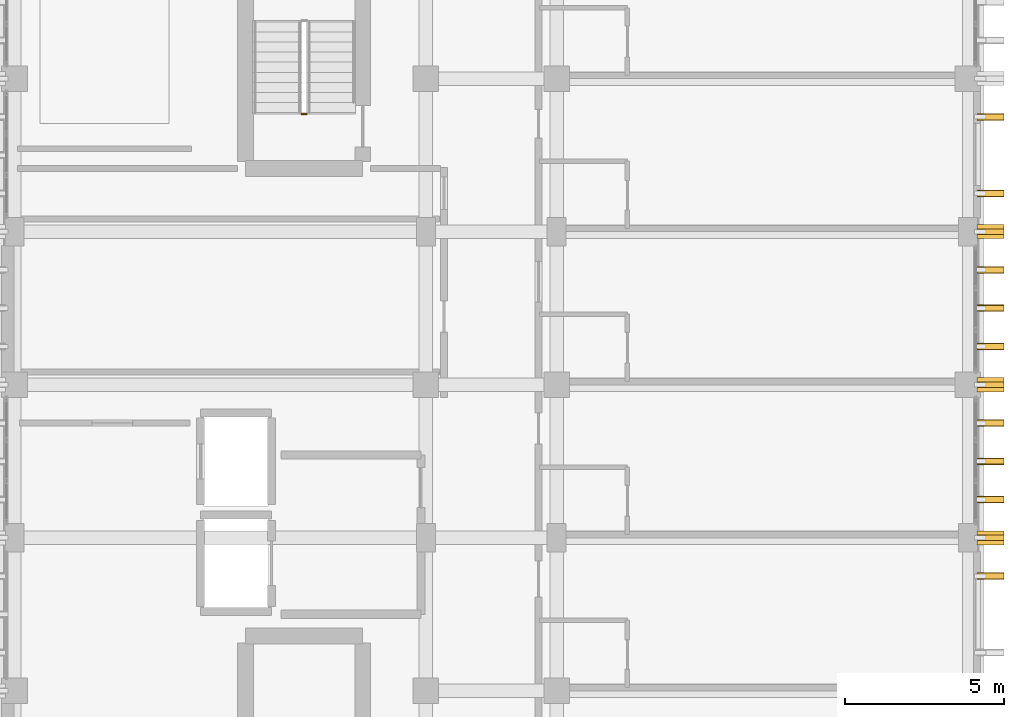
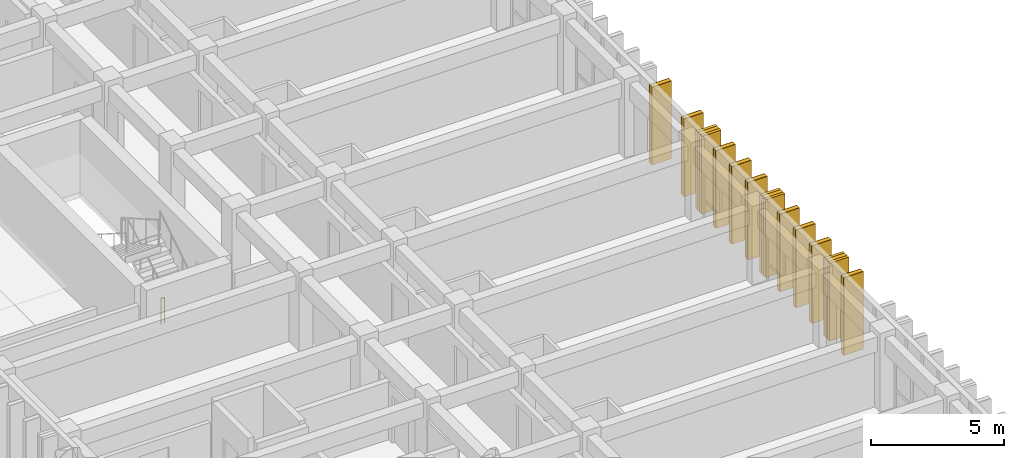
# One storey, part 80 of 82: 12 coverings, 12 shading devices, 1 railing.
"""IFC4 building model written with IfcOpenShell, lengths in metres."""

from ifc_helpers import new_model, si_unit, direction, frame, origin, origin_2d, place, context, subcontext, project, spatial, rectangle, circle, extrude, material, layer, layer_set, type_object, element, save


model = new_model("IFC4")

# Units and contexts
model_context = context("Model", 3, precision=1e-05, world=origin(), true_north=direction((0.0, 1.0)))
body_context = subcontext(model_context, "Body", "Model", "MODEL_VIEW")
ifc_project = project(units=[si_unit("LENGTHUNIT", "METRE"), si_unit("AREAUNIT", "SQUARE_METRE"), si_unit("VOLUMEUNIT", "CUBIC_METRE"), si_unit("PLANEANGLEUNIT", "RADIAN"), si_unit("MASSUNIT", "GRAM", prefix="KILO")], contexts=[model_context])

# Site, building, storey
site_placement = place(None, origin())
site = spatial("IfcSite", under=ifc_project, at=site_placement, CompositionType="ELEMENT")
building_placement = place(site_placement, origin())
building = spatial("IfcBuilding", under=site, at=building_placement, Name="Nakhvara Creek Congress Hotel", CompositionType="ELEMENT")
storey_placement = place(building_placement, frame((0.0, 0.0, 21.0)))
storey = spatial("IfcBuildingStorey", under=building, at=storey_placement, Name="L04", CompositionType="ELEMENT", Elevation=21.0)

# Coverings
ifc_material_1 = material(Name="Honed pale Omani limestone architectural cladding", Category="masonry")
ifc_layer = layer(ifc_material_1, 0.219970703125)
ifc_layer_set = layer_set([ifc_layer], Name="Honed pale Omani limestone architectural cladding")
covering_type = type_object("IfcCoveringType", Name="COV-FIN-850", PredefinedType="CLADDING", material=ifc_layer_set)
covering_1_placement = place(storey_placement, frame((180.054931640625, 90.0, 0.0), z_axis=(0.0, 0.0, 1.0), x_axis=(0.0, 1.0, 0.0)))
element("IfcCovering", 1, at=covering_1_placement, inside=storey, type_object=covering_type, Name="Pale Limestone Fin Cladding CF01-1313", PredefinedType="CLADDING", context=body_context, shape_type="SweptSolid", body=[
    extrude(rectangle(XDim=0.219970703125, YDim=0.85009765625, at=origin_2d()), origin(), (0.0, 0.0, 1.0), 3.56005859375),
])
covering_2_placement = place(storey_placement, frame((180.054931640625, 91.199951171875, 0.0), z_axis=(0.0, 0.0, 1.0), x_axis=(0.0, 1.0, 0.0)))
element("IfcCovering", 2, at=covering_2_placement, inside=storey, type_object=covering_type, Name="Pale Limestone Fin Cladding CF01-1315", PredefinedType="CLADDING", context=body_context, shape_type="SweptSolid", body=[
    extrude(rectangle(XDim=0.43994140625, YDim=0.85009765625, at=origin_2d()), origin(), (0.0, 0.0, 1.0), 3.56005859375),
])
for number, where, z_axis, x_axis, name in (
    (3, (180.054931640625, 92.39990234375, 0.0), (0.0, 0.0, 1.0), (0.0, 1.0, 0.0), "Pale Limestone Fin Cladding CF01-1317"),
    (4, (180.054931640625, 93.60009765625, 0.0), (0.0, 0.0, 1.0), (0.0, 1.0, 0.0), "Pale Limestone Fin Cladding CF01-1319"),
    (5, (180.054931640625, 94.800048828125, 0.0), (0.0, 0.0, 1.0), (0.0, 1.0, 0.0), "Pale Limestone Fin Cladding CF01-1321"),
):
    element("IfcCovering", number, at=place(storey_placement, frame(where, z_axis=z_axis, x_axis=x_axis)), inside=storey, type_object=covering_type, Name=name, PredefinedType="CLADDING", context=body_context, shape_type="SweptSolid", body=[
        extrude(rectangle(XDim=0.219970703125, YDim=0.85009765625, at=origin_2d()), origin(), (0.0, 0.0, 1.0), 3.56005859375),
    ])
covering_3_placement = place(storey_placement, frame((180.054931640625, 96.0, 0.0), z_axis=(0.0, 0.0, 1.0), x_axis=(0.0, 1.0, 0.0)))
element("IfcCovering", 6, at=covering_3_placement, inside=storey, type_object=covering_type, Name="Pale Limestone Fin Cladding CF01-1323", PredefinedType="CLADDING", context=body_context, shape_type="SweptSolid", body=[
    extrude(rectangle(XDim=0.43994140625, YDim=0.85009765625, at=origin_2d()), origin(), (0.0, 0.0, 1.0), 3.56005859375),
])
for number, where, z_axis, x_axis, name in (
    (7, (180.054931640625, 97.199951171875, 0.0), (0.0, 0.0, 1.0), (0.0, 1.0, 0.0), "Pale Limestone Fin Cladding CF01-1325"),
    (8, (180.054931640625, 98.39990234375, 0.0), (0.0, 0.0, 1.0), (0.0, 1.0, 0.0), "Pale Limestone Fin Cladding CF01-1327"),
    (9, (180.054931640625, 99.60009765625, 0.0), (0.0, 0.0, 1.0), (0.0, 1.0, 0.0), "Pale Limestone Fin Cladding CF01-1329"),
):
    element("IfcCovering", number, at=place(storey_placement, frame(where, z_axis=z_axis, x_axis=x_axis)), inside=storey, type_object=covering_type, Name=name, PredefinedType="CLADDING", context=body_context, shape_type="SweptSolid", body=[
        extrude(rectangle(XDim=0.219970703125, YDim=0.85009765625, at=origin_2d()), origin(), (0.0, 0.0, 1.0), 3.56005859375),
    ])
covering_4_placement = place(storey_placement, frame((180.054931640625, 100.800048828125, 0.0), z_axis=(0.0, 0.0, 1.0), x_axis=(0.0, 1.0, 0.0)))
element("IfcCovering", 10, at=covering_4_placement, inside=storey, type_object=covering_type, Name="Pale Limestone Fin Cladding CF01-1331", PredefinedType="CLADDING", context=body_context, shape_type="SweptSolid", body=[
    extrude(rectangle(XDim=0.43994140625, YDim=0.85009765625, at=origin_2d()), origin(), (0.0, 0.0, 1.0), 3.56005859375),
])
for number, where, z_axis, x_axis, name in (
    (11, (180.054931640625, 102.0, 0.0), (0.0, 0.0, 1.0), (0.0, 1.0, 0.0), "Pale Limestone Fin Cladding CF01-1333"),
    (12, (180.054931640625, 104.39990234375, 0.0), (0.0, 0.0, 1.0), (0.0, 1.0, 0.0), "Pale Limestone Fin Cladding CF01-1336"),
):
    element("IfcCovering", number, at=place(storey_placement, frame(where, z_axis=z_axis, x_axis=x_axis)), inside=storey, type_object=covering_type, Name=name, PredefinedType="CLADDING", context=body_context, shape_type="SweptSolid", body=[
        extrude(rectangle(XDim=0.219970703125, YDim=0.85009765625, at=origin_2d()), origin(), (0.0, 0.0, 1.0), 3.56005859375),
    ])

# Railing
ifc_material_2 = material(Name="Brushed stainless steel 316L", Category="steel")
railing_type = type_object("IfcRailingType", Name="RL-GUARD-1200", PredefinedType="GUARDRAIL", material=ifc_material_2)
railing_placement = place(storey_placement, frame((158.610107421875, 104.489990234375, 0.0)))
element("IfcRailing", 13, at=railing_placement, inside=storey, type_object=railing_type, Name="L04 ST02 stair guard 4", PredefinedType="GUARDRAIL", context=body_context, shape_type="SweptSolid", body=[
    extrude(circle(Radius=0.02392578125, at=origin_2d()), frame((-0.0146484375, 0.0, 1.17578125), z_axis=(-1.0, 0.0, 0.0), x_axis=(0.0, -1.0, 0.0)), (0.0, 0.0, 1.0), 0.120849609375),
    extrude(circle(Radius=0.02099609375, at=origin_2d()), origin(), (0.0, 0.0, 1.0), 1.1806640625),
    extrude(circle(Radius=0.02099609375, at=origin_2d()), frame((-0.150146484375, 0.0, 0.0)), (0.0, 0.0, 1.0), 1.1806640625),
])

# Shading devices
ifc_material_3 = material(Name="Honed pale Omani limestone cladding on stainless steel spine", Category="masonry")
shading_device_type = type_object("IfcShadingDeviceType", Name="SHD-FIN-850X3600", PredefinedType="USERDEFINED", material=ifc_material_3)
for number, where, z_axis, x_axis, name in (
    (14, (180.054931640625, 90.0, 0.0), (0.0, 0.0, 1.0), (0.0, 1.0, 0.0), "Limestone Solar Fin FN01-1178"),
    (15, (180.054931640625, 91.199951171875, 0.0), (0.0, 0.0, 1.0), (0.0, 1.0, 0.0), "Limestone Solar Fin FN01-1180"),
    (16, (180.054931640625, 92.39990234375, 0.0), (0.0, 0.0, 1.0), (0.0, 1.0, 0.0), "Limestone Solar Fin FN01-1182"),
    (17, (180.054931640625, 93.60009765625, 0.0), (0.0, 0.0, 1.0), (0.0, 1.0, 0.0), "Limestone Solar Fin FN01-1184"),
    (18, (180.054931640625, 94.800048828125, 0.0), (0.0, 0.0, 1.0), (0.0, 1.0, 0.0), "Limestone Solar Fin FN01-1186"),
    (19, (180.054931640625, 96.0, 0.0), (0.0, 0.0, 1.0), (0.0, 1.0, 0.0), "Limestone Solar Fin FN01-1188"),
    (20, (180.054931640625, 97.199951171875, 0.0), (0.0, 0.0, 1.0), (0.0, 1.0, 0.0), "Limestone Solar Fin FN01-1190"),
    (21, (180.054931640625, 98.39990234375, 0.0), (0.0, 0.0, 1.0), (0.0, 1.0, 0.0), "Limestone Solar Fin FN01-1192"),
    (22, (180.054931640625, 99.60009765625, 0.0), (0.0, 0.0, 1.0), (0.0, 1.0, 0.0), "Limestone Solar Fin FN01-1194"),
    (23, (180.054931640625, 100.800048828125, 0.0), (0.0, 0.0, 1.0), (0.0, 1.0, 0.0), "Limestone Solar Fin FN01-1196"),
    (24, (180.054931640625, 102.0, 0.0), (0.0, 0.0, 1.0), (0.0, 1.0, 0.0), "Limestone Solar Fin FN01-1198"),
    (25, (180.054931640625, 104.39990234375, 0.0), (0.0, 0.0, 1.0), (0.0, 1.0, 0.0), "Limestone Solar Fin FN01-1201"),
):
    element("IfcShadingDevice", number, at=place(storey_placement, frame(where, z_axis=z_axis, x_axis=x_axis)), inside=storey, type_object=shading_device_type, Name=name, ObjectType="FIN", PredefinedType="USERDEFINED", context=body_context, shape_type="SweptSolid", body=[
        extrude(rectangle(XDim=0.179931640625, YDim=0.85009765625, at=origin_2d()), origin(), (0.0, 0.0, 1.0), 3.56005859375),
    ])

save(model, "model.ifc")
